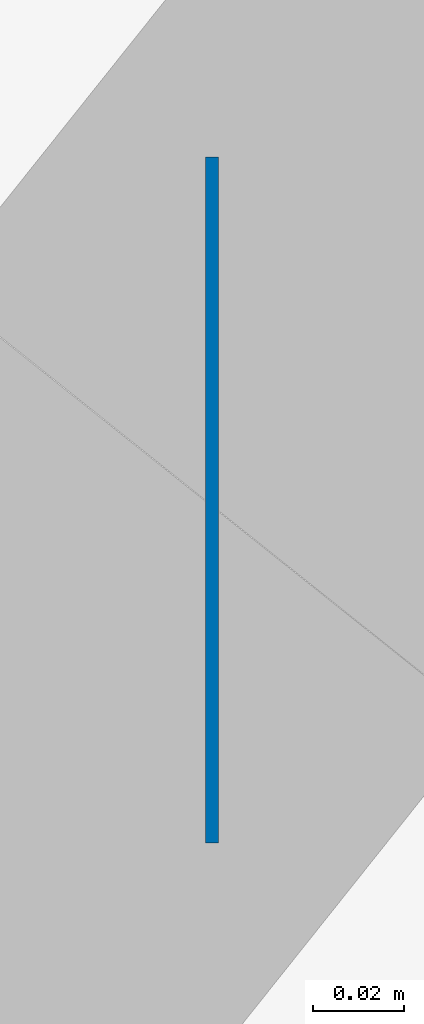
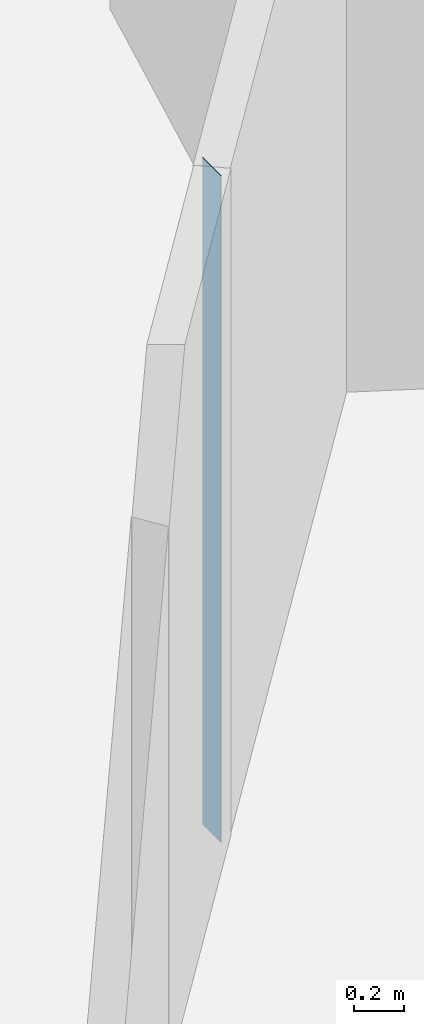
# One storey, part 5 of 12: 1 wall.
"""IFC4 building model written with IfcOpenShell, lengths in metres."""

from ifc_helpers import new_model, si_unit, direction, frame, frame_2d, origin, place, context, subcontext, project, spatial, rectangle, extrude, material, layer, layer_set, type_object, element, save


model = new_model("IFC4")

# Units and contexts
model_context = context("Model", 3, precision=1e-05, world=origin(), true_north=direction((0.0, 1.0)))
body_context = subcontext(model_context, "Body", "Model", "MODEL_VIEW")
ifc_project = project(units=[si_unit("LENGTHUNIT", "METRE"), si_unit("AREAUNIT", "SQUARE_METRE"), si_unit("VOLUMEUNIT", "CUBIC_METRE"), si_unit("PLANEANGLEUNIT", "RADIAN"), si_unit("MASSUNIT", "GRAM", prefix="KILO")], contexts=[model_context])

# Site, building, storey
site_placement = place(None, origin())
site = spatial("IfcSite", under=ifc_project, at=site_placement, CompositionType="ELEMENT")
building_placement = place(site_placement, origin())
building = spatial("IfcBuilding", under=site, at=building_placement, Name="Tracery Tower", CompositionType="ELEMENT")
storey_placement = place(building_placement, frame((0.0, 0.0, 287.39990234375)))
storey = spatial("IfcBuildingStorey", under=building, at=storey_placement, Name="L74", CompositionType="ELEMENT", Elevation=287.39990234375)

# Wall
ifc_material = material(Name="Plasterboard on steel studs", Category="steel")
ifc_layer = layer(ifc_material, 0.14990234375)
ifc_layer_set = layer_set([ifc_layer], Name="Partition 150 corridor wall")
wall_type = type_object("IfcWallType", Name="Partition 150 corridor wall", PredefinedType="PARTITIONING", material=ifc_layer_set)
wall_placement = place(storey_placement, frame((11.136962890625, -8.800048828125, 0.0), z_axis=(0.0, 0.0, 1.0), x_axis=(-1.0, 0.0, 0.0)))
element("IfcWall", 1, at=wall_placement, inside=storey, type_object=wall_type, Name="Corridor wall RC6-019", PredefinedType="PARTITIONING", context=body_context, shape_type="SweptSolid", body=[
    extrude(rectangle(XDim=0.0029296875, YDim=0.14990234375, at=frame_2d((0.00146484375, 0.0))), origin(), (0.0, 0.0, 1.0), 3.25),
])

save(model, "model.ifc")
